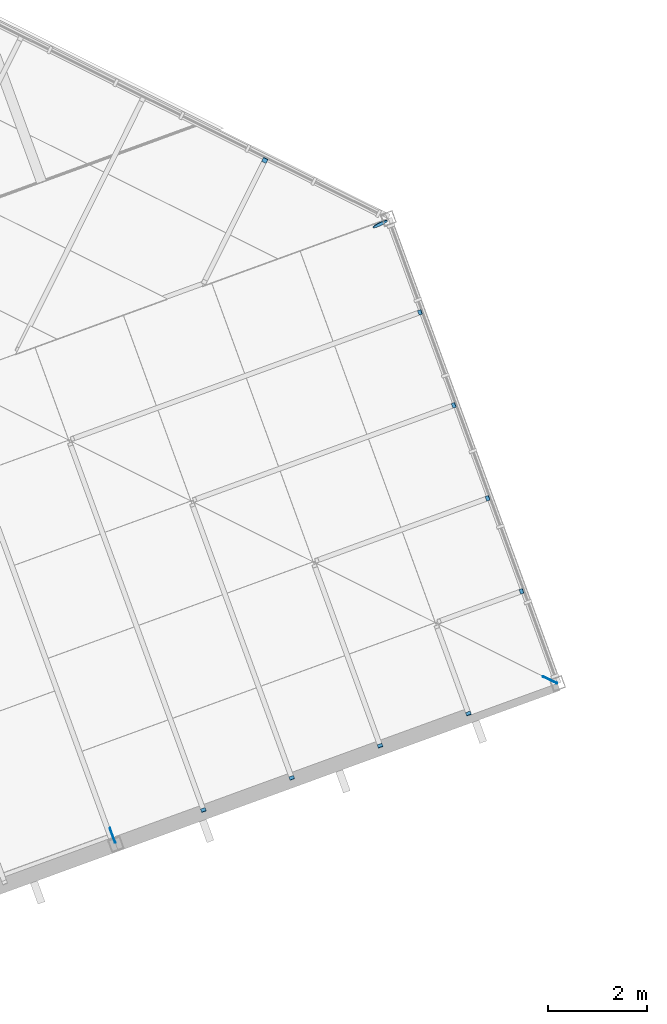
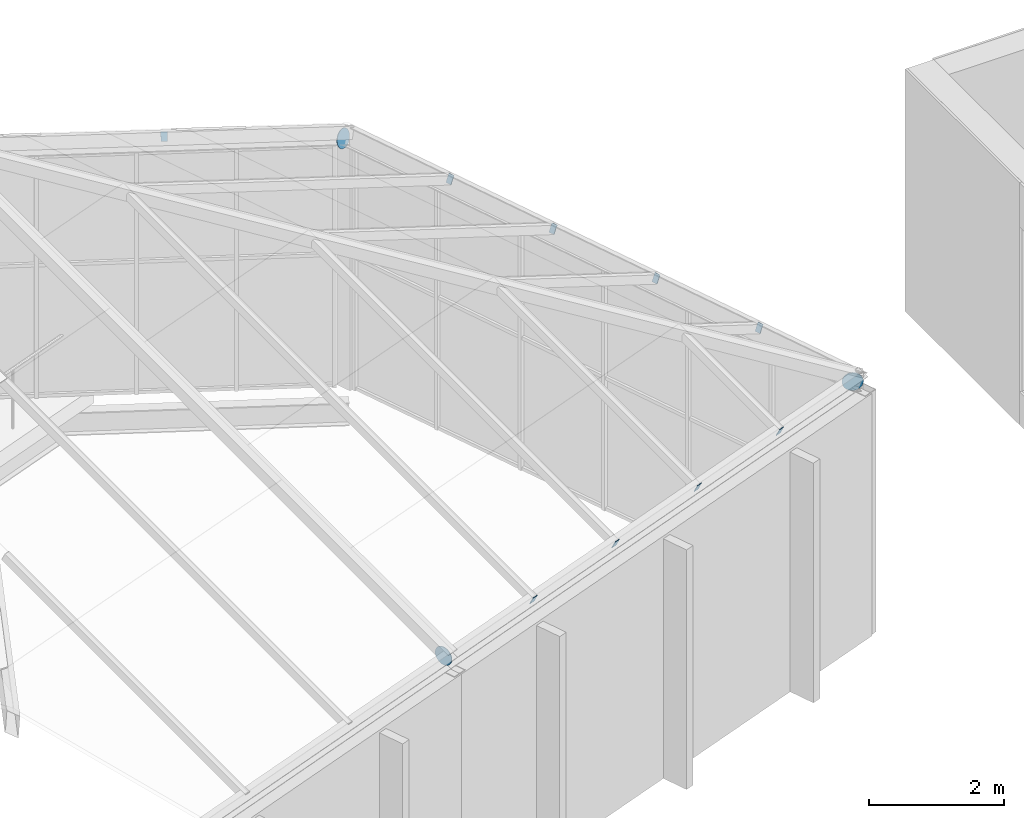
# One storey, part 70 of 95: 12 discrete accessories.
"""IFC4 building model written with IfcOpenShell, lengths in metres."""

import ifcopenshell
import ifcopenshell.guid

model = None  # the IFC model being written
_history = None  # IfcOwnerHistory: only IFC2X3 demands one
_inside = {}  # id of a spatial element -> (the spatial element, [elements in it])
_under = {}  # id of a project, library or spatial element -> (it, [spatial elements below it])
_declared = {}  # id of a project -> (the project, [libraries it declares])
_typed = {}  # id of a type object -> (the type object, [elements of that type])
_made_of = {}  # id of a material, layer set ... -> (it, [elements and type objects made of it])


def new_model(schema):
    """Start an empty IFC model of exactly this schema.

    Asked for "IFC4X3", IfcOpenShell would pick the latest addendum, in which some entities
    have other attributes; the version numbers below select the first issue.
    IFC2X3 requires an IfcOwnerHistory on every rooted entity: one is made here for all.
    """
    global model, _history
    if schema == "IFC4X3":
        model = ifcopenshell.file(schema_version=(4, 3, 0, 0))
    else:
        model = ifcopenshell.file(schema=schema)
    _inside.clear()
    _under.clear()
    _declared.clear()
    _typed.clear()
    _made_of.clear()
    _history = None
    if model.schema == "IFC2X3":
        org = make("IfcOrganization", Name="unknown")
        user = make(
            "IfcPersonAndOrganization",
            ThePerson=make("IfcPerson", FamilyName="unknown"),
            TheOrganization=org,
        )
        app = make(
            "IfcApplication",
            ApplicationDeveloper=org,
            Version="unknown",
            ApplicationFullName="unknown",
            ApplicationIdentifier="unknown",
        )
        _history = make(
            "IfcOwnerHistory",
            OwningUser=user,
            OwningApplication=app,
            ChangeAction="ADDED",
            CreationDate=0,
        )
    return model


def make(cls, **values):
    """One entity of the class cls with the attributes given. An attribute that is None is left unset."""
    return model.create_entity(
        cls, **{name: value for name, value in values.items() if value is not None}
    )


def rooted(cls, **values):
    """An entity with a GlobalId (a new one), such as an element, a storey or a relation."""
    return make(cls, GlobalId=ifcopenshell.guid.new(), OwnerHistory=_history, **values)


def si_unit(unit_type, name, prefix=None):
    """IfcSIUnit, for example si_unit("LENGTHUNIT", "METRE", prefix="MILLI")."""
    return make("IfcSIUnit", UnitType=unit_type, Prefix=prefix, Name=name)


def assignment(units):
    """IfcUnitAssignment: the units of a project."""
    return None if units is None else make("IfcUnitAssignment", Units=units)


def point(xyz):
    """IfcCartesianPoint."""
    return None if xyz is None else make("IfcCartesianPoint", Coordinates=xyz)


def direction(xyz):
    """IfcDirection."""
    return None if xyz is None else make("IfcDirection", DirectionRatios=xyz)


def frame(location, z_axis=None, x_axis=None):
    """IfcAxis2Placement3D, a coordinate frame: its origin and axes. An axis left out is left unset."""
    return make(
        "IfcAxis2Placement3D",
        Location=point(location),
        Axis=direction(z_axis),
        RefDirection=direction(x_axis),
    )


def frame_2d(location, x_axis=None):
    """IfcAxis2Placement2D, a coordinate frame in the plane: its origin and x axis."""
    return make(
        "IfcAxis2Placement2D", Location=point(location), RefDirection=direction(x_axis)
    )


def origin():
    """The frame at (0, 0, 0) with its axes left unset."""
    return frame((0.0, 0.0, 0.0))


def origin_2d():
    """The frame at (0, 0) in the plane with its x axis left unset."""
    return frame_2d((0.0, 0.0))


def place(relative_to, where):
    """IfcLocalPlacement: puts the frame where relative to a parent placement (None: the world)."""
    return make(
        "IfcLocalPlacement", PlacementRelTo=relative_to, RelativePlacement=where
    )


def context(
    kind, dimensions, precision=None, world=None, true_north=None, identifier=None
):
    """IfcGeometricRepresentationContext, for example the 3D "Model" context."""
    return make(
        "IfcGeometricRepresentationContext",
        ContextIdentifier=identifier,
        ContextType=kind,
        CoordinateSpaceDimension=dimensions,
        Precision=precision,
        WorldCoordinateSystem=world,
        TrueNorth=true_north,
    )


def subcontext(parent, identifier, kind, view, scale=None):
    """IfcGeometricRepresentationSubContext, for example "Body" below "Model"."""
    return make(
        "IfcGeometricRepresentationSubContext",
        ContextIdentifier=identifier,
        ContextType=kind,
        ParentContext=parent,
        TargetScale=scale,
        TargetView=view,
    )


def project(units=None, contexts=None):
    """IfcProject with its units and contexts."""
    return rooted(
        "IfcProject",
        Name="project",
        RepresentationContexts=contexts,
        UnitsInContext=assignment(units),
    )


def spatial(cls, under=None, at=None, **own):
    """A site, building, storey or space (cls), placed at a placement, below another one or the project."""
    s = rooted(cls, ObjectPlacement=at, **own)
    if under is not None:
        _under.setdefault(under.id(), (under, []))[1].append(s)
    return s


def profile(cls, at=None, kind="AREA", **sizes):
    """A parametric profile (cls). Its sizes go by their IFC names, for example OverallWidth=200.0."""
    return make(cls, ProfileType=kind, Position=at, **sizes)


def rectangle(**sizes):
    """IfcRectangleProfileDef."""
    return profile("IfcRectangleProfileDef", **sizes)


def circle(**sizes):
    """IfcCircleProfileDef."""
    return profile("IfcCircleProfileDef", **sizes)


def extrude(swept, where, along, depth):
    """IfcExtrudedAreaSolid: the profile swept, set in the frame where, extruded along a direction by depth."""
    return make(
        "IfcExtrudedAreaSolid",
        SweptArea=swept,
        Position=where,
        ExtrudedDirection=direction(along),
        Depth=depth,
    )


def shape(context_of_items, identifier, shape_type, items):
    """IfcShapeRepresentation: the items that make up one representation, for example the "Body"."""
    return make(
        "IfcShapeRepresentation",
        ContextOfItems=context_of_items,
        RepresentationIdentifier=identifier,
        RepresentationType=shape_type,
        Items=items,
    )


def material(Name=None, Category=None):
    """IfcMaterial."""
    return make("IfcMaterial", Name=Name, Category=Category)


def layer(
    of_material, thickness, ventilated=None, Name=None, Category=None, Priority=None
):
    """IfcMaterialLayer: one layer of a wall or slab, of a material (None: an air gap)."""
    return make(
        "IfcMaterialLayer",
        Material=of_material,
        LayerThickness=thickness,
        IsVentilated=ventilated,
        Name=Name,
        Category=Category,
        Priority=Priority,
    )


def layer_set(layers, Name=None):
    """IfcMaterialLayerSet."""
    return make("IfcMaterialLayerSet", MaterialLayers=layers, LayerSetName=Name)


def made_of(thing, what):
    """Note that an element or type object is made of a material, layer set ...; save() writes the relation."""
    if what is not None:
        _made_of.setdefault(what.id(), (what, []))[1].append(thing)
    return thing


def type_object(cls, material=None, **own):
    """A type object (cls), such as IfcWallType, which elements share."""
    return made_of(rooted(cls, **own), material)


def element(
    cls,
    number,
    at=None,
    inside=None,
    cuts=None,
    type_object=None,
    material=None,
    context=None,
    identifier="Body",
    shape_type=None,
    held_by="IfcProductDefinitionShape",
    body=None,
    shapes=None,
    **own,
):
    """One element of the class cls, such as IfcWall. Its Tag is "e" and its number.

    at: its placement. inside: the storey or other place that contains it. cuts: it is an
    opening in that element (IfcRelVoidsElement). A single representation is given by context,
    identifier, shape_type and body (its items); several are given by shapes. held_by: the class
    of the entity that holds the representations. save() writes the other relations.
    """
    e = rooted(cls, Tag="e%d" % number, ObjectPlacement=at, **own)
    if body is not None:
        shapes = [shape(context, identifier, shape_type, body)]
    if shapes is not None:
        e.Representation = make(held_by, Representations=shapes)
    if inside is not None:
        _inside.setdefault(inside.id(), (inside, []))[1].append(e)
    if cuts is not None:
        rooted(
            "IfcRelVoidsElement", RelatingBuildingElement=cuts, RelatedOpeningElement=e
        )
    if type_object is not None:
        _typed.setdefault(type_object.id(), (type_object, []))[1].append(e)
    return made_of(e, material)


def aggregate(whole, parts):
    """IfcRelAggregates: a whole, such as a stair, and the parts it consists of."""
    return rooted("IfcRelAggregates", RelatingObject=whole, RelatedObjects=parts)


def save(model, path):
    """Write the relations noted so far, then the file.

    IfcRelAggregates (storeys below a building ...), IfcRelContainedInSpatialStructure (elements
    in a storey), IfcRelDefinesByType, IfcRelAssociatesMaterial and IfcRelDeclares: one each for
    every whole, place, type object, material and project.
    """
    for whole, parts in _under.values():
        aggregate(whole, parts)
    for where, things in _inside.values():
        rooted(
            "IfcRelContainedInSpatialStructure",
            RelatedElements=things,
            RelatingStructure=where,
        )
    for kind, things in _typed.values():
        rooted("IfcRelDefinesByType", RelatedObjects=things, RelatingType=kind)
    for what, things in _made_of.values():
        rooted("IfcRelAssociatesMaterial", RelatedObjects=things, RelatingMaterial=what)
    for by, libraries in _declared.values():
        rooted("IfcRelDeclares", RelatingContext=by, RelatedDefinitions=libraries)
    model.write(path)


model = new_model("IFC4")

# Units and contexts
model_context = context("Model", 3, precision=1e-05, world=origin(), true_north=direction((0.0, 1.0)))
body_context = subcontext(model_context, "Body", "Model", "MODEL_VIEW")
ifc_project = project(units=[si_unit("LENGTHUNIT", "METRE"), si_unit("AREAUNIT", "SQUARE_METRE"), si_unit("VOLUMEUNIT", "CUBIC_METRE"), si_unit("PLANEANGLEUNIT", "RADIAN"), si_unit("MASSUNIT", "GRAM", prefix="KILO")], contexts=[model_context])

# Site, building, storey
site_placement = place(None, origin())
site = spatial("IfcSite", under=ifc_project, at=site_placement, CompositionType="ELEMENT")
building_placement = place(site_placement, origin())
building = spatial("IfcBuilding", under=site, at=building_placement, Name="Windward Yard Aquatics Centre", CompositionType="ELEMENT")
storey_placement = place(building_placement, frame((0.0, 0.0, 9.39990234375)))
storey = spatial("IfcBuildingStorey", under=building, at=storey_placement, Name="L02", CompositionType="ELEMENT", Elevation=9.39990234375)

# Discrete accessories
ifc_material = material(Name="Steel S355", Category="steel")
ifc_layer_1 = layer(ifc_material, 0.010009765625)
ifc_layer_set_1 = layer_set([ifc_layer_1], Name="End cap plate 10 mm RHS100x150x6")
discrete_accessory_type_1 = type_object("IfcDiscreteAccessoryType", Name="End cap plate 10 mm RHS100x150x6", PredefinedType="USERDEFINED", material=ifc_layer_set_1)
for number, where, z_axis, x_axis, name in (
    (1, (44.499267578125, 96.604736328125, 4.646728515625), (-0.850627786651, -0.291643812566, 0.437465718849), (0.324324324324, -0.945945945946, 0.0), "End cap"),
    (2, (41.904541015625, 87.18896484375, 4.645751953125), (-0.291643812566, 0.850627786651, 0.437465718849), (-0.945945945946, -0.324324324324, 0.0), "End cap"),
):
    element("IfcDiscreteAccessory", number, at=place(storey_placement, frame(where, z_axis=z_axis, x_axis=x_axis)), inside=storey, type_object=discrete_accessory_type_1, Name=name, ObjectType="END CAP", PredefinedType="USERDEFINED", context=body_context, shape_type="SweptSolid", body=[
        extrude(rectangle(XDim=0.10009765625, YDim=0.14990234375, at=origin_2d()), origin(), (0.0, 0.0, 1.0), 0.010009765625),
    ])
discrete_accessory_1_placement = place(storey_placement, frame((45.8671875, 92.845947265625, 4.646728515625), z_axis=(-0.843695833875, -0.297775000191, 0.446662500287), x_axis=(0.332820117735, -0.942990333583, 0.0)))
element("IfcDiscreteAccessory", 3, at=discrete_accessory_1_placement, inside=storey, type_object=discrete_accessory_type_1, Name="End cap", ObjectType="END CAP", PredefinedType="USERDEFINED", context=body_context, shape_type="SweptSolid", body=[
    extrude(rectangle(XDim=0.10009765625, YDim=0.14990234375, at=origin_2d()), origin(), (0.0, 0.0, 1.0), 0.009765625),
])
discrete_accessory_2_placement = place(storey_placement, frame((45.4755859375, 88.48876953125, 4.645751953125), z_axis=(-0.320134901826, 0.837275897082, 0.44326371022), x_axis=(-0.934051834851, -0.357137466267, 0.0)))
element("IfcDiscreteAccessory", 4, at=discrete_accessory_2_placement, inside=storey, type_object=discrete_accessory_type_1, Name="End cap", ObjectType="END CAP", PredefinedType="USERDEFINED", context=body_context, shape_type="SweptSolid", body=[
    extrude(rectangle(XDim=0.10009765625, YDim=0.14990234375, at=origin_2d()), origin(), (0.0, 0.0, 1.0), 0.010009765625),
])
discrete_accessory_3_placement = place(storey_placement, frame((45.18310546875, 94.725341796875, 4.646728515625), z_axis=(-0.843695833875, -0.297775000191, 0.446662500287), x_axis=(0.332820117735, -0.942990333583, 0.0)))
element("IfcDiscreteAccessory", 5, at=discrete_accessory_3_placement, inside=storey, type_object=discrete_accessory_type_1, Name="End cap", ObjectType="END CAP", PredefinedType="USERDEFINED", context=body_context, shape_type="SweptSolid", body=[
    extrude(rectangle(XDim=0.10009765625, YDim=0.14990234375, at=origin_2d()), origin(), (0.0, 0.0, 1.0), 0.009765625),
])
discrete_accessory_4_placement = place(storey_placement, frame((43.690185546875, 87.8388671875, 4.645751953125), z_axis=(-0.313640236425, 0.844416021143, 0.434271096588), x_axis=(-0.93742527201, -0.348186529604, 0.0)))
element("IfcDiscreteAccessory", 6, at=discrete_accessory_4_placement, inside=storey, type_object=discrete_accessory_type_1, Name="End cap", ObjectType="END CAP", PredefinedType="USERDEFINED", context=body_context, shape_type="SweptSolid", body=[
    extrude(rectangle(XDim=0.10009765625, YDim=0.14990234375, at=origin_2d()), origin(), (0.0, 0.0, 1.0), 0.010009765625),
])
discrete_accessory_5_placement = place(storey_placement, frame((46.55126953125, 90.966552734375, 4.646728515625), z_axis=(-0.843695833875, -0.297775000191, 0.446662500287), x_axis=(0.332820117735, -0.942990333583, 0.0)))
element("IfcDiscreteAccessory", 7, at=discrete_accessory_5_placement, inside=storey, type_object=discrete_accessory_type_1, Name="End cap", ObjectType="END CAP", PredefinedType="USERDEFINED", context=body_context, shape_type="SweptSolid", body=[
    extrude(rectangle(XDim=0.10009765625, YDim=0.14990234375, at=origin_2d()), origin(), (0.0, 0.0, 1.0), 0.009765625),
])
for number, where, z_axis, x_axis, name in (
    (8, (41.35986328125, 99.677978515625, 4.653564453125), (-0.368827679704, -0.737655359407, 0.565535775546), (0.894427191, -0.4472135955, 0.0), "End cap"),
    (9, (40.119140625, 86.5390625, 4.645751953125), (-0.291643812566, 0.850627786651, 0.437465718849), (-0.945945945946, -0.324324324324, 0.0), "End cap"),
):
    element("IfcDiscreteAccessory", number, at=place(storey_placement, frame(where, z_axis=z_axis, x_axis=x_axis)), inside=storey, type_object=discrete_accessory_type_1, Name=name, ObjectType="END CAP", PredefinedType="USERDEFINED", context=body_context, shape_type="SweptSolid", body=[
        extrude(rectangle(XDim=0.10009765625, YDim=0.14990234375, at=origin_2d()), origin(), (0.0, 0.0, 1.0), 0.010009765625),
    ])
ifc_layer_2 = layer(ifc_material, 0.011962890625)
ifc_layer_set_2 = layer_set([ifc_layer_2], Name="Gusset plate 320 mm disc 12 mm, roof frames")
discrete_accessory_type_2 = type_object("IfcDiscreteAccessoryType", Name="Gusset plate 320 mm disc 12 mm, roof frames", PredefinedType="USERDEFINED", material=ifc_layer_set_2)
for number, where, z_axis, x_axis, name in (
    (10, (38.275634765625, 86.031494140625, 4.581298828125), (0.937994498829, 0.346650140872, 0.0), (-0.346650140872, 0.937994498829, 0.0), "Gusset plate"),
    (11, (47.1162109375, 89.16943359375, 4.5625), (0.430639011177, 0.902291261515, -0.02050661958), (-0.902481037784, 0.430729586215, 0.0), "Gusset plate"),
    (12, (43.69091796875, 98.382080078125, 4.591552734375), (-0.431274239229, 0.883085346992, -0.184831816812), (-0.898567515986, -0.438835298505, 0.0), "Gusset plate"),
):
    element("IfcDiscreteAccessory", number, at=place(storey_placement, frame(where, z_axis=z_axis, x_axis=x_axis)), inside=storey, type_object=discrete_accessory_type_2, Name=name, ObjectType="GUSSET PLATE", PredefinedType="USERDEFINED", context=body_context, shape_type="SweptSolid", body=[
        extrude(circle(Radius=0.159912109375, at=origin_2d()), origin(), (0.0, 0.0, 1.0), 0.011962890625),
    ])

save(model, "model.ifc")
